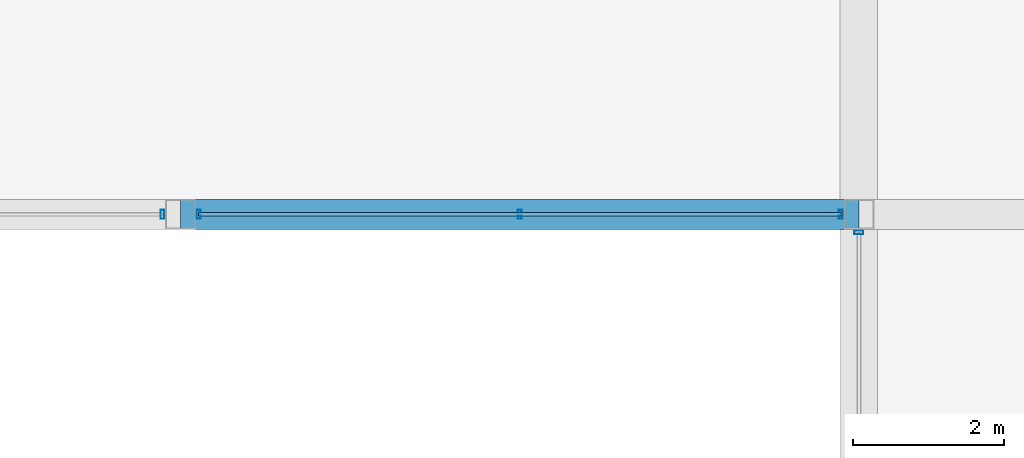
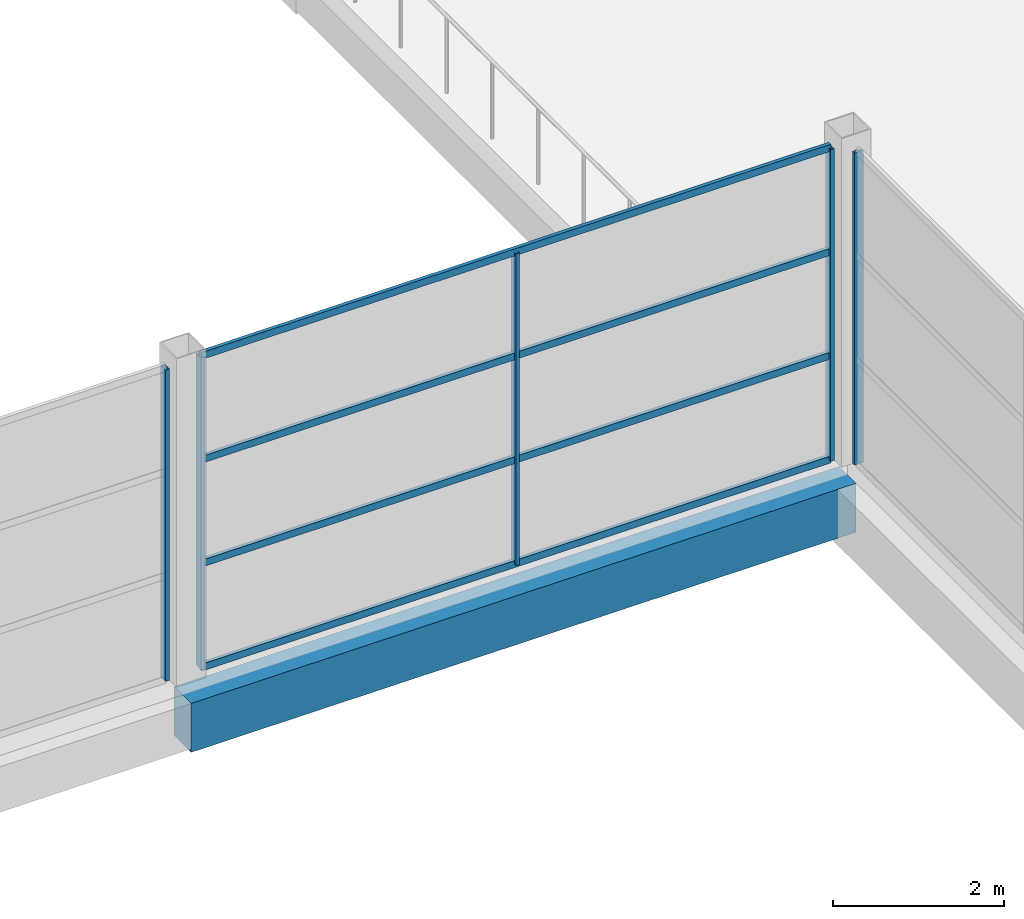
# One storey, part 79 of 112: 9 members, 1 beam, 3 elements without a shape of their own.
"""IFC4 building model written with IfcOpenShell, lengths in metres."""

import ifcopenshell
import ifcopenshell.guid

model = None  # the IFC model being written
_history = None  # IfcOwnerHistory: only IFC2X3 demands one
_inside = {}  # id of a spatial element -> (the spatial element, [elements in it])
_under = {}  # id of a project, library or spatial element -> (it, [spatial elements below it])
_declared = {}  # id of a project -> (the project, [libraries it declares])
_typed = {}  # id of a type object -> (the type object, [elements of that type])
_made_of = {}  # id of a material, layer set ... -> (it, [elements and type objects made of it])


def new_model(schema):
    """Start an empty IFC model of exactly this schema.

    Asked for "IFC4X3", IfcOpenShell would pick the latest addendum, in which some entities
    have other attributes; the version numbers below select the first issue.
    IFC2X3 requires an IfcOwnerHistory on every rooted entity: one is made here for all.
    """
    global model, _history
    if schema == "IFC4X3":
        model = ifcopenshell.file(schema_version=(4, 3, 0, 0))
    else:
        model = ifcopenshell.file(schema=schema)
    _inside.clear()
    _under.clear()
    _declared.clear()
    _typed.clear()
    _made_of.clear()
    _history = None
    if model.schema == "IFC2X3":
        org = make("IfcOrganization", Name="unknown")
        user = make(
            "IfcPersonAndOrganization",
            ThePerson=make("IfcPerson", FamilyName="unknown"),
            TheOrganization=org,
        )
        app = make(
            "IfcApplication",
            ApplicationDeveloper=org,
            Version="unknown",
            ApplicationFullName="unknown",
            ApplicationIdentifier="unknown",
        )
        _history = make(
            "IfcOwnerHistory",
            OwningUser=user,
            OwningApplication=app,
            ChangeAction="ADDED",
            CreationDate=0,
        )
    return model


def make(cls, **values):
    """One entity of the class cls with the attributes given. An attribute that is None is left unset."""
    return model.create_entity(
        cls, **{name: value for name, value in values.items() if value is not None}
    )


def rooted(cls, **values):
    """An entity with a GlobalId (a new one), such as an element, a storey or a relation."""
    return make(cls, GlobalId=ifcopenshell.guid.new(), OwnerHistory=_history, **values)


def si_unit(unit_type, name, prefix=None):
    """IfcSIUnit, for example si_unit("LENGTHUNIT", "METRE", prefix="MILLI")."""
    return make("IfcSIUnit", UnitType=unit_type, Prefix=prefix, Name=name)


def assignment(units):
    """IfcUnitAssignment: the units of a project."""
    return None if units is None else make("IfcUnitAssignment", Units=units)


def point(xyz):
    """IfcCartesianPoint."""
    return None if xyz is None else make("IfcCartesianPoint", Coordinates=xyz)


def direction(xyz):
    """IfcDirection."""
    return None if xyz is None else make("IfcDirection", DirectionRatios=xyz)


def frame(location, z_axis=None, x_axis=None):
    """IfcAxis2Placement3D, a coordinate frame: its origin and axes. An axis left out is left unset."""
    return make(
        "IfcAxis2Placement3D",
        Location=point(location),
        Axis=direction(z_axis),
        RefDirection=direction(x_axis),
    )


def frame_2d(location, x_axis=None):
    """IfcAxis2Placement2D, a coordinate frame in the plane: its origin and x axis."""
    return make(
        "IfcAxis2Placement2D", Location=point(location), RefDirection=direction(x_axis)
    )


def origin():
    """The frame at (0, 0, 0) with its axes left unset."""
    return frame((0.0, 0.0, 0.0))


def origin_2d():
    """The frame at (0, 0) in the plane with its x axis left unset."""
    return frame_2d((0.0, 0.0))


def place(relative_to, where):
    """IfcLocalPlacement: puts the frame where relative to a parent placement (None: the world)."""
    return make(
        "IfcLocalPlacement", PlacementRelTo=relative_to, RelativePlacement=where
    )


def context(
    kind, dimensions, precision=None, world=None, true_north=None, identifier=None
):
    """IfcGeometricRepresentationContext, for example the 3D "Model" context."""
    return make(
        "IfcGeometricRepresentationContext",
        ContextIdentifier=identifier,
        ContextType=kind,
        CoordinateSpaceDimension=dimensions,
        Precision=precision,
        WorldCoordinateSystem=world,
        TrueNorth=true_north,
    )


def subcontext(parent, identifier, kind, view, scale=None):
    """IfcGeometricRepresentationSubContext, for example "Body" below "Model"."""
    return make(
        "IfcGeometricRepresentationSubContext",
        ContextIdentifier=identifier,
        ContextType=kind,
        ParentContext=parent,
        TargetScale=scale,
        TargetView=view,
    )


def project(units=None, contexts=None):
    """IfcProject with its units and contexts."""
    return rooted(
        "IfcProject",
        Name="project",
        RepresentationContexts=contexts,
        UnitsInContext=assignment(units),
    )


def spatial(cls, under=None, at=None, **own):
    """A site, building, storey or space (cls), placed at a placement, below another one or the project."""
    s = rooted(cls, ObjectPlacement=at, **own)
    if under is not None:
        _under.setdefault(under.id(), (under, []))[1].append(s)
    return s


def profile(cls, at=None, kind="AREA", **sizes):
    """A parametric profile (cls). Its sizes go by their IFC names, for example OverallWidth=200.0."""
    return make(cls, ProfileType=kind, Position=at, **sizes)


def rectangle(**sizes):
    """IfcRectangleProfileDef."""
    return profile("IfcRectangleProfileDef", **sizes)


def hollow_rectangle(**sizes):
    """IfcRectangleHollowProfileDef."""
    return profile("IfcRectangleHollowProfileDef", **sizes)


def extrude(swept, where, along, depth):
    """IfcExtrudedAreaSolid: the profile swept, set in the frame where, extruded along a direction by depth."""
    return make(
        "IfcExtrudedAreaSolid",
        SweptArea=swept,
        Position=where,
        ExtrudedDirection=direction(along),
        Depth=depth,
    )


def shape(context_of_items, identifier, shape_type, items):
    """IfcShapeRepresentation: the items that make up one representation, for example the "Body"."""
    return make(
        "IfcShapeRepresentation",
        ContextOfItems=context_of_items,
        RepresentationIdentifier=identifier,
        RepresentationType=shape_type,
        Items=items,
    )


def material(Name=None, Category=None):
    """IfcMaterial."""
    return make("IfcMaterial", Name=Name, Category=Category)


def material_profile(
    of_material, cross_section, Name=None, Category=None, Priority=None
):
    """IfcMaterialProfile: a cross section and its material."""
    return make(
        "IfcMaterialProfile",
        Name=Name,
        Material=of_material,
        Profile=cross_section,
        Priority=Priority,
        Category=Category,
    )


def profile_set(profiles, Name=None, composite=None):
    """IfcMaterialProfileSet."""
    return make(
        "IfcMaterialProfileSet",
        Name=Name,
        MaterialProfiles=profiles,
        CompositeProfile=composite,
    )


def made_of(thing, what):
    """Note that an element or type object is made of a material, layer set ...; save() writes the relation."""
    if what is not None:
        _made_of.setdefault(what.id(), (what, []))[1].append(thing)
    return thing


def type_object(cls, material=None, **own):
    """A type object (cls), such as IfcWallType, which elements share."""
    return made_of(rooted(cls, **own), material)


def element(
    cls,
    number,
    at=None,
    inside=None,
    cuts=None,
    type_object=None,
    material=None,
    context=None,
    identifier="Body",
    shape_type=None,
    held_by="IfcProductDefinitionShape",
    body=None,
    shapes=None,
    **own,
):
    """One element of the class cls, such as IfcWall. Its Tag is "e" and its number.

    at: its placement. inside: the storey or other place that contains it. cuts: it is an
    opening in that element (IfcRelVoidsElement). A single representation is given by context,
    identifier, shape_type and body (its items); several are given by shapes. held_by: the class
    of the entity that holds the representations. save() writes the other relations.
    """
    e = rooted(cls, Tag="e%d" % number, ObjectPlacement=at, **own)
    if body is not None:
        shapes = [shape(context, identifier, shape_type, body)]
    if shapes is not None:
        e.Representation = make(held_by, Representations=shapes)
    if inside is not None:
        _inside.setdefault(inside.id(), (inside, []))[1].append(e)
    if cuts is not None:
        rooted(
            "IfcRelVoidsElement", RelatingBuildingElement=cuts, RelatedOpeningElement=e
        )
    if type_object is not None:
        _typed.setdefault(type_object.id(), (type_object, []))[1].append(e)
    return made_of(e, material)


def aggregate(whole, parts):
    """IfcRelAggregates: a whole, such as a stair, and the parts it consists of."""
    return rooted("IfcRelAggregates", RelatingObject=whole, RelatedObjects=parts)


def save(model, path):
    """Write the relations noted so far, then the file.

    IfcRelAggregates (storeys below a building ...), IfcRelContainedInSpatialStructure (elements
    in a storey), IfcRelDefinesByType, IfcRelAssociatesMaterial and IfcRelDeclares: one each for
    every whole, place, type object, material and project.
    """
    for whole, parts in _under.values():
        aggregate(whole, parts)
    for where, things in _inside.values():
        rooted(
            "IfcRelContainedInSpatialStructure",
            RelatedElements=things,
            RelatingStructure=where,
        )
    for kind, things in _typed.values():
        rooted("IfcRelDefinesByType", RelatedObjects=things, RelatingType=kind)
    for what, things in _made_of.values():
        rooted("IfcRelAssociatesMaterial", RelatedObjects=things, RelatingMaterial=what)
    for by, libraries in _declared.values():
        rooted("IfcRelDeclares", RelatingContext=by, RelatedDefinitions=libraries)
    model.write(path)


model = new_model("IFC4")

# Units and contexts
model_context = context("Model", 3, precision=1e-05, world=origin(), true_north=direction((0.0, 1.0)))
body_context = subcontext(model_context, "Body", "Model", "MODEL_VIEW")
ifc_project = project(units=[si_unit("LENGTHUNIT", "METRE"), si_unit("AREAUNIT", "SQUARE_METRE"), si_unit("VOLUMEUNIT", "CUBIC_METRE"), si_unit("PLANEANGLEUNIT", "RADIAN"), si_unit("MASSUNIT", "GRAM", prefix="KILO")], contexts=[model_context])

# Site, building, storey
site_placement = place(None, origin())
site = spatial("IfcSite", under=ifc_project, at=site_placement, CompositionType="ELEMENT")
building_placement = place(site_placement, origin())
building = spatial("IfcBuilding", under=site, at=building_placement, Name="Solvikara Media Centre", CompositionType="ELEMENT")
storey_placement = place(building_placement, frame((0.0, 0.0, 5.39990234375)))
storey = spatial("IfcBuildingStorey", under=building, at=storey_placement, Name="L01", CompositionType="ELEMENT", Elevation=5.39990234375)

# Beam
ifc_material_1 = material(Name="Concrete fc' 35 MPa (C35/45)", Category="concrete")
ifc_material_profile_1 = material_profile(ifc_material_1, rectangle(XDim=0.39990234375, YDim=0.699951171875, at=origin_2d()), Name="RC 400x700")
ifc_profile_set_1 = profile_set([ifc_material_profile_1], Name="Concrete fc' 35 MPa (C35/45)")
beam_type = type_object("IfcBeamType", Name="BM-03", PredefinedType="BEAM", material=ifc_profile_set_1)
beam_placement = place(storey_placement, frame((145.5, 89.0, -0.64990234375), z_axis=(1.0, 0.0, 0.0), x_axis=(0.0, 1.0, 0.0)))
element("IfcBeam", 1, at=beam_placement, inside=storey, type_object=beam_type, Name="B-L01-X0519", PredefinedType="BEAM", context=body_context, shape_type="SweptSolid", body=[
    extrude(rectangle(XDim=0.39990234375, YDim=0.699951171875, at=origin_2d()), origin(), (0.0, 0.0, 1.0), 9.0),
])

# Curtain wall, member
ifc_material_2 = material(Name="Anodised aluminium EN AW-6063", Category="aluminium")
curtain_wall_type = type_object("IfcCurtainWallType", Name="CW-12", PredefinedType="NOTDEFINED", material=ifc_material_2)
curtain_wall_1_placement = place(storey_placement, origin())
curtain_wall_1 = element("IfcCurtainWall", 2, at=curtain_wall_1_placement, inside=storey, type_object=curtain_wall_type, Name="CW-L01-CRT-2-S2", PredefinedType="NOTDEFINED")
ifc_material_profile_2 = material_profile(ifc_material_2, hollow_rectangle(XDim=0.050048828125, YDim=0.1201171875, WallThickness=0.0029296875, at=origin_2d()), Name="ALU-M 50x120x3")
ifc_profile_set_2 = profile_set([ifc_material_profile_2], Name="Anodised aluminium EN AW-6063")
member_type_1 = type_object("IfcMemberType", Name="MF-06", PredefinedType="MULLION", material=ifc_profile_set_2)
member_1_placement = place(storey_placement, frame((154.5, 88.760009765625, 0.02001953125), z_axis=(0.0, 0.0, 1.0), x_axis=(0.0, 1.0, 0.0)))
member_1 = element("IfcMember", 3, at=member_1_placement, type_object=member_type_1, Name="CW-L01-CRT-2-S2-M02", PredefinedType="MULLION", context=body_context, shape_type="SweptSolid", body=[
    extrude(hollow_rectangle(XDim=0.050048828125, YDim=0.1201171875, WallThickness=0.0029296875, at=origin_2d()), origin(), (0.0, 0.0, 1.0), 4.4599609375),
])
aggregate(curtain_wall_1, [member_1])

# Curtain wall, members
curtain_wall_2_placement = place(storey_placement, origin())
curtain_wall_2 = element("IfcCurtainWall", 4, at=curtain_wall_2_placement, inside=storey, type_object=curtain_wall_type, Name="CW-L01-CRT-3-S1", PredefinedType="NOTDEFINED")
member_2_placement = place(storey_placement, frame((154.260009765625, 89.0, 0.02001953125), z_axis=(0.0, 0.0, 1.0), x_axis=(-1.0, 0.0, 0.0)))
member_2 = element("IfcMember", 5, at=member_2_placement, type_object=member_type_1, Name="CW-L01-CRT-3-S1-M00", PredefinedType="MULLION", context=body_context, shape_type="SweptSolid", body=[
    extrude(hollow_rectangle(XDim=0.050048828125, YDim=0.1201171875, WallThickness=0.0029296875, at=origin_2d()), origin(), (0.0, 0.0, 1.0), 4.4599609375),
])
member_3_placement = place(storey_placement, frame((150.0, 89.0, 0.02001953125), z_axis=(0.0, 0.0, 1.0), x_axis=(-1.0, 0.0, 0.0)))
member_3 = element("IfcMember", 6, at=member_3_placement, type_object=member_type_1, Name="CW-L01-CRT-3-S1-M01", PredefinedType="MULLION", context=body_context, shape_type="SweptSolid", body=[
    extrude(hollow_rectangle(XDim=0.050048828125, YDim=0.1201171875, WallThickness=0.0029296875, at=origin_2d()), origin(), (0.0, 0.0, 1.0), 4.4599609375),
])
member_4_placement = place(storey_placement, frame((145.739990234375, 89.0, 0.02001953125), z_axis=(0.0, 0.0, 1.0), x_axis=(-1.0, 0.0, 0.0)))
member_4 = element("IfcMember", 7, at=member_4_placement, type_object=member_type_1, Name="CW-L01-CRT-3-S1-M02", PredefinedType="MULLION", context=body_context, shape_type="SweptSolid", body=[
    extrude(hollow_rectangle(XDim=0.050048828125, YDim=0.1201171875, WallThickness=0.0029296875, at=origin_2d()), origin(), (0.0, 0.0, 1.0), 4.4599609375),
])

# Curtain wall, member
curtain_wall_3_placement = place(storey_placement, origin())
curtain_wall_3 = element("IfcCurtainWall", 8, at=curtain_wall_3_placement, inside=storey, type_object=curtain_wall_type, Name="CW-L01-CRT-3-S2", PredefinedType="NOTDEFINED")
member_5_placement = place(storey_placement, frame((145.260009765625, 89.0, 0.02001953125), z_axis=(0.0, 0.0, 1.0), x_axis=(-1.0, 0.0, 0.0)))
member_5 = element("IfcMember", 9, at=member_5_placement, type_object=member_type_1, Name="CW-L01-CRT-3-S2-M00", PredefinedType="MULLION", context=body_context, shape_type="SweptSolid", body=[
    extrude(hollow_rectangle(XDim=0.050048828125, YDim=0.1201171875, WallThickness=0.0029296875, at=origin_2d()), origin(), (0.0, 0.0, 1.0), 4.4599609375),
])
aggregate(curtain_wall_3, [member_5])

# Member
ifc_material_profile_3 = material_profile(ifc_material_2, hollow_rectangle(XDim=0.050048828125, YDim=0.10009765625, WallThickness=0.0029296875, at=origin_2d()), Name="ALU-T 50x100x3")
ifc_profile_set_3 = profile_set([ifc_material_profile_3], Name="Anodised aluminium EN AW-6063")
member_type_2 = type_object("IfcMemberType", Name="MF-12", PredefinedType="USERDEFINED", material=ifc_profile_set_3)
member_6_placement = place(storey_placement, frame((154.260009765625, 89.0, 0.02001953125), z_axis=(-1.0, 0.0, 0.0), x_axis=(0.0, -1.0, 0.0)))
member_6 = element("IfcMember", 10, at=member_6_placement, type_object=member_type_2, Name="CW-L01-CRT-3-S1-T00", ObjectType="TRANSOM", PredefinedType="USERDEFINED", context=body_context, shape_type="SweptSolid", body=[
    extrude(hollow_rectangle(XDim=0.050048828125, YDim=0.10009765625, WallThickness=0.0029296875, at=origin_2d()), origin(), (0.0, 0.0, 1.0), 8.52001953125),
])

member_7_placement = place(storey_placement, frame((154.260009765625, 89.0, 1.507080078125), z_axis=(-1.0, 0.0, 0.0), x_axis=(0.0, -1.0, 0.0)))
member_7 = element("IfcMember", 11, at=member_7_placement, type_object=member_type_2, Name="CW-L01-CRT-3-S1-T01", ObjectType="TRANSOM", PredefinedType="USERDEFINED", context=body_context, shape_type="SweptSolid", body=[
    extrude(hollow_rectangle(XDim=0.050048828125, YDim=0.10009765625, WallThickness=0.0029296875, at=origin_2d()), origin(), (0.0, 0.0, 1.0), 8.52001953125),
])

member_8_placement = place(storey_placement, frame((154.260009765625, 89.0, 2.9931640625), z_axis=(-1.0, 0.0, 0.0), x_axis=(0.0, -1.0, 0.0)))
member_8 = element("IfcMember", 12, at=member_8_placement, type_object=member_type_2, Name="CW-L01-CRT-3-S1-T02", ObjectType="TRANSOM", PredefinedType="USERDEFINED", context=body_context, shape_type="SweptSolid", body=[
    extrude(hollow_rectangle(XDim=0.050048828125, YDim=0.10009765625, WallThickness=0.0029296875, at=origin_2d()), origin(), (0.0, 0.0, 1.0), 8.52001953125),
])

member_9_placement = place(storey_placement, frame((154.260009765625, 89.0, 4.47998046875), z_axis=(-1.0, 0.0, 0.0), x_axis=(0.0, -1.0, 0.0)))
member_9 = element("IfcMember", 13, at=member_9_placement, type_object=member_type_2, Name="CW-L01-CRT-3-S1-T03", ObjectType="TRANSOM", PredefinedType="USERDEFINED", context=body_context, shape_type="SweptSolid", body=[
    extrude(hollow_rectangle(XDim=0.050048828125, YDim=0.10009765625, WallThickness=0.0029296875, at=origin_2d()), origin(), (0.0, 0.0, 1.0), 8.52001953125),
])

aggregate(curtain_wall_2, [member_2, member_3, member_4, member_6, member_7, member_8, member_9])

save(model, "model.ifc")
